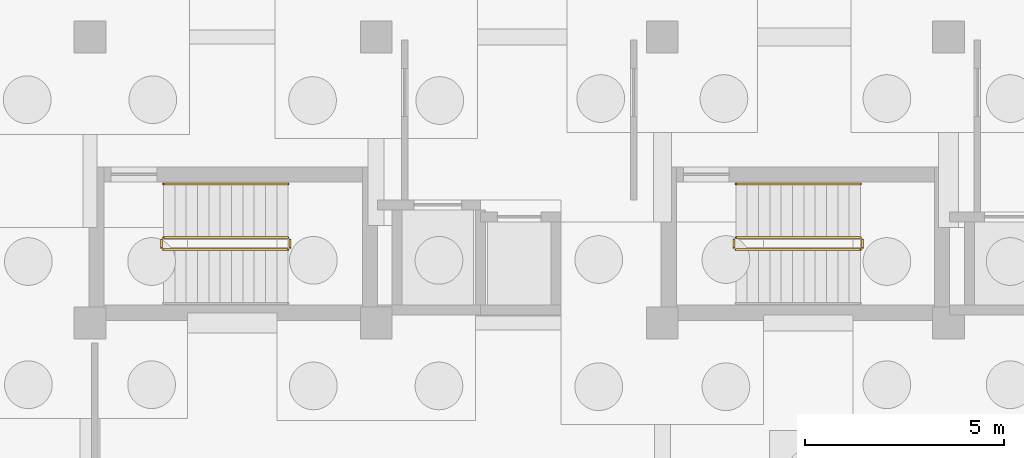
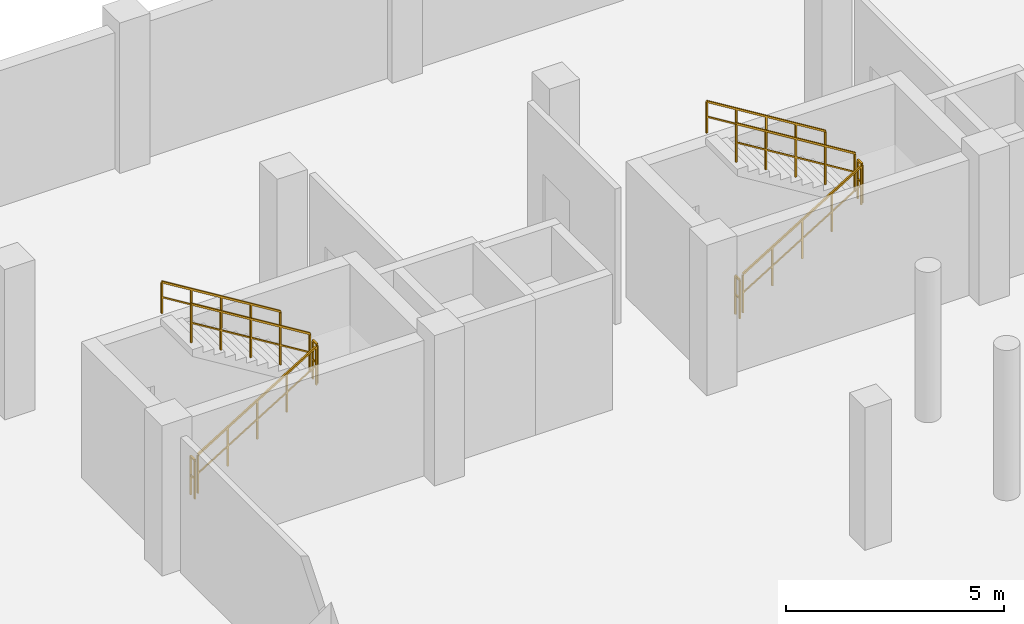
# One storey, part 53 of 56: 10 railings.
"""IFC4 building model written with IfcOpenShell, lengths in metres."""

import ifcopenshell
import ifcopenshell.guid

model = None  # the IFC model being written
_history = None  # IfcOwnerHistory: only IFC2X3 demands one
_inside = {}  # id of a spatial element -> (the spatial element, [elements in it])
_under = {}  # id of a project, library or spatial element -> (it, [spatial elements below it])
_declared = {}  # id of a project -> (the project, [libraries it declares])
_typed = {}  # id of a type object -> (the type object, [elements of that type])
_made_of = {}  # id of a material, layer set ... -> (it, [elements and type objects made of it])


def new_model(schema):
    """Start an empty IFC model of exactly this schema.

    Asked for "IFC4X3", IfcOpenShell would pick the latest addendum, in which some entities
    have other attributes; the version numbers below select the first issue.
    IFC2X3 requires an IfcOwnerHistory on every rooted entity: one is made here for all.
    """
    global model, _history
    if schema == "IFC4X3":
        model = ifcopenshell.file(schema_version=(4, 3, 0, 0))
    else:
        model = ifcopenshell.file(schema=schema)
    _inside.clear()
    _under.clear()
    _declared.clear()
    _typed.clear()
    _made_of.clear()
    _history = None
    if model.schema == "IFC2X3":
        org = make("IfcOrganization", Name="unknown")
        user = make(
            "IfcPersonAndOrganization",
            ThePerson=make("IfcPerson", FamilyName="unknown"),
            TheOrganization=org,
        )
        app = make(
            "IfcApplication",
            ApplicationDeveloper=org,
            Version="unknown",
            ApplicationFullName="unknown",
            ApplicationIdentifier="unknown",
        )
        _history = make(
            "IfcOwnerHistory",
            OwningUser=user,
            OwningApplication=app,
            ChangeAction="ADDED",
            CreationDate=0,
        )
    return model


def make(cls, **values):
    """One entity of the class cls with the attributes given. An attribute that is None is left unset."""
    return model.create_entity(
        cls, **{name: value for name, value in values.items() if value is not None}
    )


def rooted(cls, **values):
    """An entity with a GlobalId (a new one), such as an element, a storey or a relation."""
    return make(cls, GlobalId=ifcopenshell.guid.new(), OwnerHistory=_history, **values)


def si_unit(unit_type, name, prefix=None):
    """IfcSIUnit, for example si_unit("LENGTHUNIT", "METRE", prefix="MILLI")."""
    return make("IfcSIUnit", UnitType=unit_type, Prefix=prefix, Name=name)


def assignment(units):
    """IfcUnitAssignment: the units of a project."""
    return None if units is None else make("IfcUnitAssignment", Units=units)


def point(xyz):
    """IfcCartesianPoint."""
    return None if xyz is None else make("IfcCartesianPoint", Coordinates=xyz)


def direction(xyz):
    """IfcDirection."""
    return None if xyz is None else make("IfcDirection", DirectionRatios=xyz)


def frame(location, z_axis=None, x_axis=None):
    """IfcAxis2Placement3D, a coordinate frame: its origin and axes. An axis left out is left unset."""
    return make(
        "IfcAxis2Placement3D",
        Location=point(location),
        Axis=direction(z_axis),
        RefDirection=direction(x_axis),
    )


def frame_2d(location, x_axis=None):
    """IfcAxis2Placement2D, a coordinate frame in the plane: its origin and x axis."""
    return make(
        "IfcAxis2Placement2D", Location=point(location), RefDirection=direction(x_axis)
    )


def origin():
    """The frame at (0, 0, 0) with its axes left unset."""
    return frame((0.0, 0.0, 0.0))


def origin_2d():
    """The frame at (0, 0) in the plane with its x axis left unset."""
    return frame_2d((0.0, 0.0))


def place(relative_to, where):
    """IfcLocalPlacement: puts the frame where relative to a parent placement (None: the world)."""
    return make(
        "IfcLocalPlacement", PlacementRelTo=relative_to, RelativePlacement=where
    )


def context(
    kind, dimensions, precision=None, world=None, true_north=None, identifier=None
):
    """IfcGeometricRepresentationContext, for example the 3D "Model" context."""
    return make(
        "IfcGeometricRepresentationContext",
        ContextIdentifier=identifier,
        ContextType=kind,
        CoordinateSpaceDimension=dimensions,
        Precision=precision,
        WorldCoordinateSystem=world,
        TrueNorth=true_north,
    )


def subcontext(parent, identifier, kind, view, scale=None):
    """IfcGeometricRepresentationSubContext, for example "Body" below "Model"."""
    return make(
        "IfcGeometricRepresentationSubContext",
        ContextIdentifier=identifier,
        ContextType=kind,
        ParentContext=parent,
        TargetScale=scale,
        TargetView=view,
    )


def project(units=None, contexts=None):
    """IfcProject with its units and contexts."""
    return rooted(
        "IfcProject",
        Name="project",
        RepresentationContexts=contexts,
        UnitsInContext=assignment(units),
    )


def spatial(cls, under=None, at=None, **own):
    """A site, building, storey or space (cls), placed at a placement, below another one or the project."""
    s = rooted(cls, ObjectPlacement=at, **own)
    if under is not None:
        _under.setdefault(under.id(), (under, []))[1].append(s)
    return s


def profile(cls, at=None, kind="AREA", **sizes):
    """A parametric profile (cls). Its sizes go by their IFC names, for example OverallWidth=200.0."""
    return make(cls, ProfileType=kind, Position=at, **sizes)


def rectangle(**sizes):
    """IfcRectangleProfileDef."""
    return profile("IfcRectangleProfileDef", **sizes)


def extrude(swept, where, along, depth):
    """IfcExtrudedAreaSolid: the profile swept, set in the frame where, extruded along a direction by depth."""
    return make(
        "IfcExtrudedAreaSolid",
        SweptArea=swept,
        Position=where,
        ExtrudedDirection=direction(along),
        Depth=depth,
    )


def shape(context_of_items, identifier, shape_type, items):
    """IfcShapeRepresentation: the items that make up one representation, for example the "Body"."""
    return make(
        "IfcShapeRepresentation",
        ContextOfItems=context_of_items,
        RepresentationIdentifier=identifier,
        RepresentationType=shape_type,
        Items=items,
    )


def material(Name=None, Category=None):
    """IfcMaterial."""
    return make("IfcMaterial", Name=Name, Category=Category)


def made_of(thing, what):
    """Note that an element or type object is made of a material, layer set ...; save() writes the relation."""
    if what is not None:
        _made_of.setdefault(what.id(), (what, []))[1].append(thing)
    return thing


def type_object(cls, material=None, **own):
    """A type object (cls), such as IfcWallType, which elements share."""
    return made_of(rooted(cls, **own), material)


def element(
    cls,
    number,
    at=None,
    inside=None,
    cuts=None,
    type_object=None,
    material=None,
    context=None,
    identifier="Body",
    shape_type=None,
    held_by="IfcProductDefinitionShape",
    body=None,
    shapes=None,
    **own,
):
    """One element of the class cls, such as IfcWall. Its Tag is "e" and its number.

    at: its placement. inside: the storey or other place that contains it. cuts: it is an
    opening in that element (IfcRelVoidsElement). A single representation is given by context,
    identifier, shape_type and body (its items); several are given by shapes. held_by: the class
    of the entity that holds the representations. save() writes the other relations.
    """
    e = rooted(cls, Tag="e%d" % number, ObjectPlacement=at, **own)
    if body is not None:
        shapes = [shape(context, identifier, shape_type, body)]
    if shapes is not None:
        e.Representation = make(held_by, Representations=shapes)
    if inside is not None:
        _inside.setdefault(inside.id(), (inside, []))[1].append(e)
    if cuts is not None:
        rooted(
            "IfcRelVoidsElement", RelatingBuildingElement=cuts, RelatedOpeningElement=e
        )
    if type_object is not None:
        _typed.setdefault(type_object.id(), (type_object, []))[1].append(e)
    return made_of(e, material)


def aggregate(whole, parts):
    """IfcRelAggregates: a whole, such as a stair, and the parts it consists of."""
    return rooted("IfcRelAggregates", RelatingObject=whole, RelatedObjects=parts)


def save(model, path):
    """Write the relations noted so far, then the file.

    IfcRelAggregates (storeys below a building ...), IfcRelContainedInSpatialStructure (elements
    in a storey), IfcRelDefinesByType, IfcRelAssociatesMaterial and IfcRelDeclares: one each for
    every whole, place, type object, material and project.
    """
    for whole, parts in _under.values():
        aggregate(whole, parts)
    for where, things in _inside.values():
        rooted(
            "IfcRelContainedInSpatialStructure",
            RelatedElements=things,
            RelatingStructure=where,
        )
    for kind, things in _typed.values():
        rooted("IfcRelDefinesByType", RelatedObjects=things, RelatingType=kind)
    for what, things in _made_of.values():
        rooted("IfcRelAssociatesMaterial", RelatedObjects=things, RelatingMaterial=what)
    for by, libraries in _declared.values():
        rooted("IfcRelDeclares", RelatingContext=by, RelatedDefinitions=libraries)
    model.write(path)


model = new_model("IFC4")

# Units and contexts
model_context = context("Model", 3, precision=1e-05, world=origin(), true_north=direction((0.0, 1.0)))
body_context = subcontext(model_context, "Body", "Model", "MODEL_VIEW")
ifc_project = project(units=[si_unit("LENGTHUNIT", "METRE"), si_unit("AREAUNIT", "SQUARE_METRE"), si_unit("VOLUMEUNIT", "CUBIC_METRE"), si_unit("PLANEANGLEUNIT", "RADIAN"), si_unit("MASSUNIT", "GRAM", prefix="KILO")], contexts=[model_context])

# Site, building, storey
site_placement = place(None, origin())
site = spatial("IfcSite", under=ifc_project, at=site_placement, CompositionType="ELEMENT")
building_placement = place(site_placement, origin())
building = spatial("IfcBuilding", under=site, at=building_placement, Name="Suanplinth Sawtooth Commons", CompositionType="ELEMENT")
storey_placement = place(building_placement, frame((0.0, 0.0, -4.199951171875)))
storey = spatial("IfcBuildingStorey", under=building, at=storey_placement, Name="B1", CompositionType="ELEMENT", Elevation=-4.199951171875)

# Railings
ifc_material = material(Name="Stainless steel Grade 304", Category="steel")
railing_type_1 = type_object("IfcRailingType", Name="GR-04", PredefinedType="GUARDRAIL", material=ifc_material)
railing_1_placement = place(storey_placement, frame((45.050048828125, 109.85009765625, 0.175048828125)))
element("IfcRailing", 1, at=railing_1_placement, inside=storey, type_object=railing_type_1, Name="B1 ST-N1 Guard 1", PredefinedType="GUARDRAIL", context=body_context, shape_type="SweptSolid", body=[
    extrude(rectangle(XDim=0.048095703125, YDim=0.048095703125, at=origin_2d()), frame((0.0, 0.0, 1.076171875), z_axis=(0.852195625947, 0.0, 0.523223293744), x_axis=(0.0, 1.0, 0.0)), (0.0, 0.0, 1.0), 3.6787109375),
    extrude(rectangle(XDim=0.03369140625, YDim=0.03369140625, at=origin_2d()), frame((0.0, 0.0, 0.550048828125), z_axis=(0.852195625947, 0.0, 0.523223293744), x_axis=(0.0, 1.0, 0.0)), (0.0, 0.0, 1.0), 3.6787109375),
    extrude(rectangle(XDim=0.0419921875, YDim=0.0419921875, at=origin_2d()), origin(), (0.0, 0.0, 1.0), 1.052001953125),
    extrude(rectangle(XDim=0.0419921875, YDim=0.0419921875, at=origin_2d()), frame((0.78369140625, 0.0, 0.481201171875)), (0.0, 0.0, 1.0), 1.052001953125),
    extrude(rectangle(XDim=0.0419921875, YDim=0.0419921875, at=origin_2d()), frame((1.5673828125, 0.0, 0.96240234375)), (0.0, 0.0, 1.0), 1.052001953125),
    extrude(rectangle(XDim=0.0419921875, YDim=0.0419921875, at=origin_2d()), frame((2.351318359375, 0.0, 1.443603515625)), (0.0, 0.0, 1.0), 1.052001953125),
    extrude(rectangle(XDim=0.0419921875, YDim=0.0419921875, at=origin_2d()), frame((3.135009765625, 0.0, 1.9248046875)), (0.0, 0.0, 1.0), 1.052001953125),
])
railing_2_placement = place(storey_placement, frame((48.235107421875, 109.89990234375, 2.099853515625)))
element("IfcRailing", 2, at=railing_2_placement, inside=storey, type_object=railing_type_1, Name="B1 ST-N1 Guard 2", PredefinedType="GUARDRAIL", context=body_context, shape_type="SweptSolid", body=[
    extrude(rectangle(XDim=0.048095703125, YDim=0.048095703125, at=origin_2d()), frame((0.0, 0.0, 1.076171875), z_axis=(0.0, 1.0, 0.0), x_axis=(-1.0, 0.0, 0.0)), (0.0, 0.0, 1.0), 0.2001953125),
    extrude(rectangle(XDim=0.03369140625, YDim=0.03369140625, at=origin_2d()), frame((0.0, 0.0, 0.550048828125), z_axis=(0.0, 1.0, 0.0), x_axis=(-1.0, 0.0, 0.0)), (0.0, 0.0, 1.0), 0.2001953125),
    extrude(rectangle(XDim=0.0419921875, YDim=0.0419921875, at=origin_2d()), origin(), (0.0, 0.0, 1.0), 1.052001953125),
    extrude(rectangle(XDim=0.0419921875, YDim=0.0419921875, at=origin_2d()), frame((0.0, 0.2001953125, 0.0)), (0.0, 0.0, 1.0), 1.052001953125),
])
railing_3_placement = place(storey_placement, frame((48.18505859375, 110.14990234375, 2.27490234375)))
element("IfcRailing", 3, at=railing_3_placement, inside=storey, type_object=railing_type_1, Name="B1 ST-N1 Guard 3", PredefinedType="GUARDRAIL", context=body_context, shape_type="SweptSolid", body=[
    extrude(rectangle(XDim=0.048095703125, YDim=0.048095703125, at=origin_2d()), frame((0.0, 0.0, 1.076171875), z_axis=(-0.852166034122, 0.0, 0.523271488128), x_axis=(0.0, -1.0, 0.0)), (0.0, 0.0, 1.0), 3.678955078125),
    extrude(rectangle(XDim=0.03369140625, YDim=0.03369140625, at=origin_2d()), frame((0.0, 0.0, 0.550048828125), z_axis=(-0.852166034122, 0.0, 0.523271488128), x_axis=(0.0, -1.0, 0.0)), (0.0, 0.0, 1.0), 3.678955078125),
    extrude(rectangle(XDim=0.0419921875, YDim=0.0419921875, at=origin_2d()), origin(), (0.0, 0.0, 1.0), 1.052001953125),
    extrude(rectangle(XDim=0.0419921875, YDim=0.0419921875, at=origin_2d()), frame((-0.78369140625, 0.0, 0.481201171875)), (0.0, 0.0, 1.0), 1.052001953125),
    extrude(rectangle(XDim=0.0419921875, YDim=0.0419921875, at=origin_2d()), frame((-1.5673828125, 0.0, 0.96240234375)), (0.0, 0.0, 1.0), 1.052001953125),
    extrude(rectangle(XDim=0.0419921875, YDim=0.0419921875, at=origin_2d()), frame((-2.351318359375, 0.0, 1.44384765625)), (0.0, 0.0, 1.0), 1.052001953125),
    extrude(rectangle(XDim=0.0419921875, YDim=0.0419921875, at=origin_2d()), frame((-3.135009765625, 0.0, 1.925048828125)), (0.0, 0.0, 1.0), 1.052001953125),
])
railing_4_placement = place(storey_placement, frame((45.0, 109.89990234375, 0.0)))
element("IfcRailing", 4, at=railing_4_placement, inside=storey, type_object=railing_type_1, Name="B1 ST-N1 Guard 4", PredefinedType="GUARDRAIL", context=body_context, shape_type="SweptSolid", body=[
    extrude(rectangle(XDim=0.048095703125, YDim=0.048095703125, at=origin_2d()), frame((0.0, 0.0, 1.076171875), z_axis=(0.0, 1.0, 0.0), x_axis=(-1.0, 0.0, 0.0)), (0.0, 0.0, 1.0), 0.2001953125),
    extrude(rectangle(XDim=0.03369140625, YDim=0.03369140625, at=origin_2d()), frame((0.0, 0.0, 0.550048828125), z_axis=(0.0, 1.0, 0.0), x_axis=(-1.0, 0.0, 0.0)), (0.0, 0.0, 1.0), 0.2001953125),
    extrude(rectangle(XDim=0.0419921875, YDim=0.0419921875, at=origin_2d()), origin(), (0.0, 0.0, 1.0), 1.052001953125),
    extrude(rectangle(XDim=0.0419921875, YDim=0.0419921875, at=origin_2d()), frame((0.0, 0.2001953125, 0.0)), (0.0, 0.0, 1.0), 1.052001953125),
])
railing_5_placement = place(storey_placement, frame((59.449951171875, 109.85009765625, 0.175048828125)))
element("IfcRailing", 5, at=railing_5_placement, inside=storey, type_object=railing_type_1, Name="B1 ST-N2 Guard 1", PredefinedType="GUARDRAIL", context=body_context, shape_type="SweptSolid", body=[
    extrude(rectangle(XDim=0.048095703125, YDim=0.048095703125, at=origin_2d()), frame((0.0, 0.0, 1.076171875), z_axis=(0.852195625947, 0.0, 0.523223293744), x_axis=(0.0, 1.0, 0.0)), (0.0, 0.0, 1.0), 3.6787109375),
    extrude(rectangle(XDim=0.03369140625, YDim=0.03369140625, at=origin_2d()), frame((0.0, 0.0, 0.550048828125), z_axis=(0.852195625947, 0.0, 0.523223293744), x_axis=(0.0, 1.0, 0.0)), (0.0, 0.0, 1.0), 3.6787109375),
    extrude(rectangle(XDim=0.0419921875, YDim=0.0419921875, at=origin_2d()), origin(), (0.0, 0.0, 1.0), 1.052001953125),
    extrude(rectangle(XDim=0.0419921875, YDim=0.0419921875, at=origin_2d()), frame((0.78369140625, 0.0, 0.481201171875)), (0.0, 0.0, 1.0), 1.052001953125),
    extrude(rectangle(XDim=0.0419921875, YDim=0.0419921875, at=origin_2d()), frame((1.5673828125, 0.0, 0.96240234375)), (0.0, 0.0, 1.0), 1.052001953125),
    extrude(rectangle(XDim=0.0419921875, YDim=0.0419921875, at=origin_2d()), frame((2.351318359375, 0.0, 1.443603515625)), (0.0, 0.0, 1.0), 1.052001953125),
    extrude(rectangle(XDim=0.0419921875, YDim=0.0419921875, at=origin_2d()), frame((3.135009765625, 0.0, 1.9248046875)), (0.0, 0.0, 1.0), 1.052001953125),
])
railing_6_placement = place(storey_placement, frame((62.635009765625, 109.89990234375, 2.099853515625)))
element("IfcRailing", 6, at=railing_6_placement, inside=storey, type_object=railing_type_1, Name="B1 ST-N2 Guard 2", PredefinedType="GUARDRAIL", context=body_context, shape_type="SweptSolid", body=[
    extrude(rectangle(XDim=0.048095703125, YDim=0.048095703125, at=origin_2d()), frame((0.0, 0.0, 1.076171875), z_axis=(0.0, 1.0, 0.0), x_axis=(-1.0, 0.0, 0.0)), (0.0, 0.0, 1.0), 0.2001953125),
    extrude(rectangle(XDim=0.03369140625, YDim=0.03369140625, at=origin_2d()), frame((0.0, 0.0, 0.550048828125), z_axis=(0.0, 1.0, 0.0), x_axis=(-1.0, 0.0, 0.0)), (0.0, 0.0, 1.0), 0.2001953125),
    extrude(rectangle(XDim=0.0419921875, YDim=0.0419921875, at=origin_2d()), origin(), (0.0, 0.0, 1.0), 1.052001953125),
    extrude(rectangle(XDim=0.0419921875, YDim=0.0419921875, at=origin_2d()), frame((0.0, 0.2001953125, 0.0)), (0.0, 0.0, 1.0), 1.052001953125),
])
railing_7_placement = place(storey_placement, frame((62.5849609375, 110.14990234375, 2.27490234375)))
element("IfcRailing", 7, at=railing_7_placement, inside=storey, type_object=railing_type_1, Name="B1 ST-N2 Guard 3", PredefinedType="GUARDRAIL", context=body_context, shape_type="SweptSolid", body=[
    extrude(rectangle(XDim=0.048095703125, YDim=0.048095703125, at=origin_2d()), frame((0.0, 0.0, 1.076171875), z_axis=(-0.852166034122, 0.0, 0.523271488128), x_axis=(0.0, -1.0, 0.0)), (0.0, 0.0, 1.0), 3.678955078125),
    extrude(rectangle(XDim=0.03369140625, YDim=0.03369140625, at=origin_2d()), frame((0.0, 0.0, 0.550048828125), z_axis=(-0.852166034122, 0.0, 0.523271488128), x_axis=(0.0, -1.0, 0.0)), (0.0, 0.0, 1.0), 3.678955078125),
    extrude(rectangle(XDim=0.0419921875, YDim=0.0419921875, at=origin_2d()), origin(), (0.0, 0.0, 1.0), 1.052001953125),
    extrude(rectangle(XDim=0.0419921875, YDim=0.0419921875, at=origin_2d()), frame((-0.78369140625, 0.0, 0.481201171875)), (0.0, 0.0, 1.0), 1.052001953125),
    extrude(rectangle(XDim=0.0419921875, YDim=0.0419921875, at=origin_2d()), frame((-1.5673828125, 0.0, 0.96240234375)), (0.0, 0.0, 1.0), 1.052001953125),
    extrude(rectangle(XDim=0.0419921875, YDim=0.0419921875, at=origin_2d()), frame((-2.351318359375, 0.0, 1.44384765625)), (0.0, 0.0, 1.0), 1.052001953125),
    extrude(rectangle(XDim=0.0419921875, YDim=0.0419921875, at=origin_2d()), frame((-3.135009765625, 0.0, 1.925048828125)), (0.0, 0.0, 1.0), 1.052001953125),
])
railing_8_placement = place(storey_placement, frame((59.39990234375, 109.89990234375, 0.0)))
element("IfcRailing", 8, at=railing_8_placement, inside=storey, type_object=railing_type_1, Name="B1 ST-N2 Guard 4", PredefinedType="GUARDRAIL", context=body_context, shape_type="SweptSolid", body=[
    extrude(rectangle(XDim=0.048095703125, YDim=0.048095703125, at=origin_2d()), frame((0.0, 0.0, 1.076171875), z_axis=(0.0, 1.0, 0.0), x_axis=(-1.0, 0.0, 0.0)), (0.0, 0.0, 1.0), 0.2001953125),
    extrude(rectangle(XDim=0.03369140625, YDim=0.03369140625, at=origin_2d()), frame((0.0, 0.0, 0.550048828125), z_axis=(0.0, 1.0, 0.0), x_axis=(-1.0, 0.0, 0.0)), (0.0, 0.0, 1.0), 0.2001953125),
    extrude(rectangle(XDim=0.0419921875, YDim=0.0419921875, at=origin_2d()), origin(), (0.0, 0.0, 1.0), 1.052001953125),
    extrude(rectangle(XDim=0.0419921875, YDim=0.0419921875, at=origin_2d()), frame((0.0, 0.2001953125, 0.0)), (0.0, 0.0, 1.0), 1.052001953125),
])
railing_type_2 = type_object("IfcRailingType", Name="HR-01", PredefinedType="HANDRAIL", material=ifc_material)
for number, where, name in (
    (9, (48.18505859375, 111.5, 2.27490234375), "B1 ST-N1 Handrail 2"),
    (10, (62.5849609375, 111.5, 2.27490234375), "B1 ST-N2 Handrail 2"),
):
    element("IfcRailing", number, at=place(storey_placement, frame(where)), inside=storey, type_object=railing_type_2, Name=name, PredefinedType="HANDRAIL", context=body_context, shape_type="SweptSolid", body=[
        extrude(rectangle(XDim=0.048095703125, YDim=0.048095703125, at=origin_2d()), frame((0.0, 0.0, 0.8759765625), z_axis=(-0.852166034122, 0.0, 0.523271488128), x_axis=(0.0, -1.0, 0.0)), (0.0, 0.0, 1.0), 3.678955078125),
        extrude(rectangle(XDim=0.03369140625, YDim=0.03369140625, at=origin_2d()), frame((0.0, 0.0, 0.449951171875), z_axis=(-0.852166034122, 0.0, 0.523271488128), x_axis=(0.0, -1.0, 0.0)), (0.0, 0.0, 1.0), 3.678955078125),
        extrude(rectangle(XDim=0.0419921875, YDim=0.0419921875, at=origin_2d()), origin(), (0.0, 0.0, 1.0), 0.851806640625),
        extrude(rectangle(XDim=0.0419921875, YDim=0.0419921875, at=origin_2d()), frame((-0.78369140625, 0.0, 0.481201171875)), (0.0, 0.0, 1.0), 0.851806640625),
        extrude(rectangle(XDim=0.0419921875, YDim=0.0419921875, at=origin_2d()), frame((-1.5673828125, 0.0, 0.96240234375)), (0.0, 0.0, 1.0), 0.851806640625),
        extrude(rectangle(XDim=0.0419921875, YDim=0.0419921875, at=origin_2d()), frame((-2.351318359375, 0.0, 1.44384765625)), (0.0, 0.0, 1.0), 0.851806640625),
        extrude(rectangle(XDim=0.0419921875, YDim=0.0419921875, at=origin_2d()), frame((-3.135009765625, 0.0, 1.925048828125)), (0.0, 0.0, 1.0), 0.851806640625),
    ])

save(model, "model.ifc")
